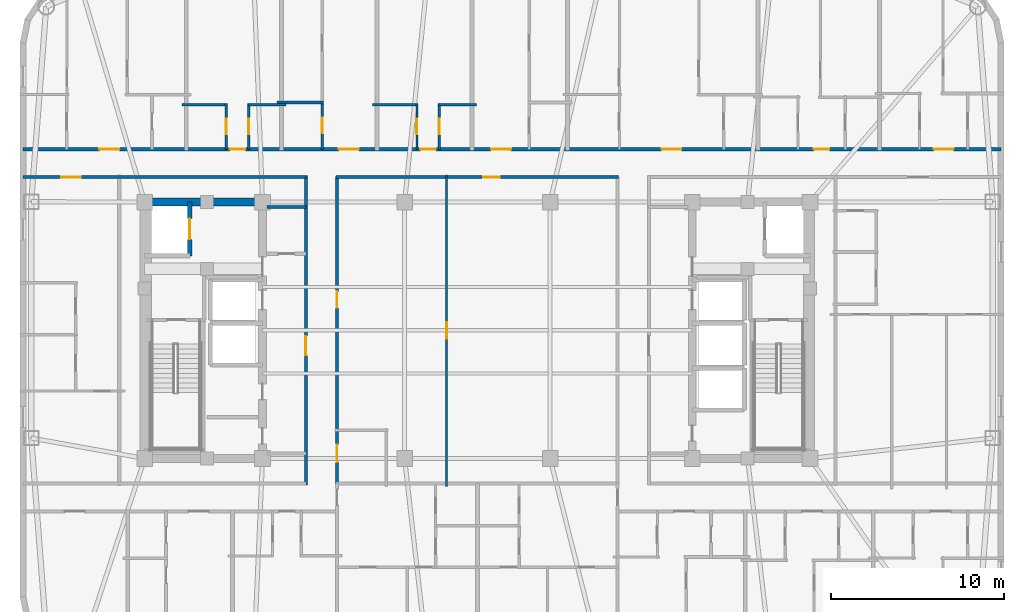
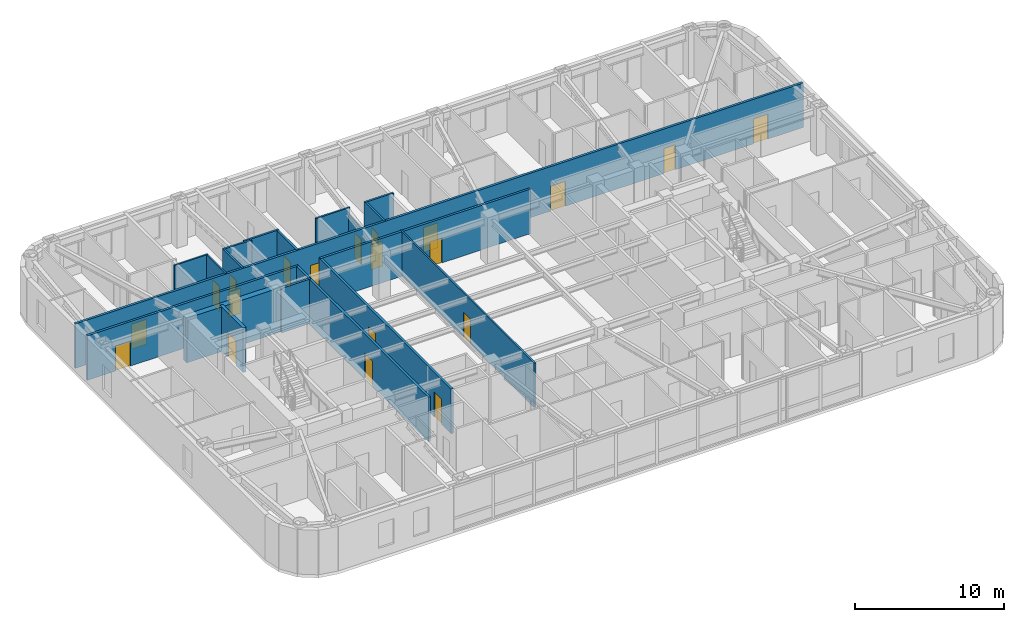
# One storey, part 10 of 17: 20 doors, 19 walls, 20 openings.
"""IFC4 building model written with IfcOpenShell, lengths in metres."""

import ifcopenshell
import ifcopenshell.guid

model = None  # the IFC model being written
_history = None  # IfcOwnerHistory: only IFC2X3 demands one
_inside = {}  # id of a spatial element -> (the spatial element, [elements in it])
_under = {}  # id of a project, library or spatial element -> (it, [spatial elements below it])
_declared = {}  # id of a project -> (the project, [libraries it declares])
_typed = {}  # id of a type object -> (the type object, [elements of that type])
_made_of = {}  # id of a material, layer set ... -> (it, [elements and type objects made of it])


def new_model(schema):
    """Start an empty IFC model of exactly this schema.

    Asked for "IFC4X3", IfcOpenShell would pick the latest addendum, in which some entities
    have other attributes; the version numbers below select the first issue.
    IFC2X3 requires an IfcOwnerHistory on every rooted entity: one is made here for all.
    """
    global model, _history
    if schema == "IFC4X3":
        model = ifcopenshell.file(schema_version=(4, 3, 0, 0))
    else:
        model = ifcopenshell.file(schema=schema)
    _inside.clear()
    _under.clear()
    _declared.clear()
    _typed.clear()
    _made_of.clear()
    _history = None
    if model.schema == "IFC2X3":
        org = make("IfcOrganization", Name="unknown")
        user = make(
            "IfcPersonAndOrganization",
            ThePerson=make("IfcPerson", FamilyName="unknown"),
            TheOrganization=org,
        )
        app = make(
            "IfcApplication",
            ApplicationDeveloper=org,
            Version="unknown",
            ApplicationFullName="unknown",
            ApplicationIdentifier="unknown",
        )
        _history = make(
            "IfcOwnerHistory",
            OwningUser=user,
            OwningApplication=app,
            ChangeAction="ADDED",
            CreationDate=0,
        )
    return model


def make(cls, **values):
    """One entity of the class cls with the attributes given. An attribute that is None is left unset."""
    return model.create_entity(
        cls, **{name: value for name, value in values.items() if value is not None}
    )


def rooted(cls, **values):
    """An entity with a GlobalId (a new one), such as an element, a storey or a relation."""
    return make(cls, GlobalId=ifcopenshell.guid.new(), OwnerHistory=_history, **values)


def si_unit(unit_type, name, prefix=None):
    """IfcSIUnit, for example si_unit("LENGTHUNIT", "METRE", prefix="MILLI")."""
    return make("IfcSIUnit", UnitType=unit_type, Prefix=prefix, Name=name)


def assignment(units):
    """IfcUnitAssignment: the units of a project."""
    return None if units is None else make("IfcUnitAssignment", Units=units)


def point(xyz):
    """IfcCartesianPoint."""
    return None if xyz is None else make("IfcCartesianPoint", Coordinates=xyz)


def direction(xyz):
    """IfcDirection."""
    return None if xyz is None else make("IfcDirection", DirectionRatios=xyz)


def frame(location, z_axis=None, x_axis=None):
    """IfcAxis2Placement3D, a coordinate frame: its origin and axes. An axis left out is left unset."""
    return make(
        "IfcAxis2Placement3D",
        Location=point(location),
        Axis=direction(z_axis),
        RefDirection=direction(x_axis),
    )


def frame_2d(location, x_axis=None):
    """IfcAxis2Placement2D, a coordinate frame in the plane: its origin and x axis."""
    return make(
        "IfcAxis2Placement2D", Location=point(location), RefDirection=direction(x_axis)
    )


def origin():
    """The frame at (0, 0, 0) with its axes left unset."""
    return frame((0.0, 0.0, 0.0))


def place(relative_to, where):
    """IfcLocalPlacement: puts the frame where relative to a parent placement (None: the world)."""
    return make(
        "IfcLocalPlacement", PlacementRelTo=relative_to, RelativePlacement=where
    )


def context(
    kind, dimensions, precision=None, world=None, true_north=None, identifier=None
):
    """IfcGeometricRepresentationContext, for example the 3D "Model" context."""
    return make(
        "IfcGeometricRepresentationContext",
        ContextIdentifier=identifier,
        ContextType=kind,
        CoordinateSpaceDimension=dimensions,
        Precision=precision,
        WorldCoordinateSystem=world,
        TrueNorth=true_north,
    )


def subcontext(parent, identifier, kind, view, scale=None):
    """IfcGeometricRepresentationSubContext, for example "Body" below "Model"."""
    return make(
        "IfcGeometricRepresentationSubContext",
        ContextIdentifier=identifier,
        ContextType=kind,
        ParentContext=parent,
        TargetScale=scale,
        TargetView=view,
    )


def project(units=None, contexts=None):
    """IfcProject with its units and contexts."""
    return rooted(
        "IfcProject",
        Name="project",
        RepresentationContexts=contexts,
        UnitsInContext=assignment(units),
    )


def spatial(cls, under=None, at=None, **own):
    """A site, building, storey or space (cls), placed at a placement, below another one or the project."""
    s = rooted(cls, ObjectPlacement=at, **own)
    if under is not None:
        _under.setdefault(under.id(), (under, []))[1].append(s)
    return s


def profile(cls, at=None, kind="AREA", **sizes):
    """A parametric profile (cls). Its sizes go by their IFC names, for example OverallWidth=200.0."""
    return make(cls, ProfileType=kind, Position=at, **sizes)


def rectangle(**sizes):
    """IfcRectangleProfileDef."""
    return profile("IfcRectangleProfileDef", **sizes)


def extrude(swept, where, along, depth):
    """IfcExtrudedAreaSolid: the profile swept, set in the frame where, extruded along a direction by depth."""
    return make(
        "IfcExtrudedAreaSolid",
        SweptArea=swept,
        Position=where,
        ExtrudedDirection=direction(along),
        Depth=depth,
    )


def shape(context_of_items, identifier, shape_type, items):
    """IfcShapeRepresentation: the items that make up one representation, for example the "Body"."""
    return make(
        "IfcShapeRepresentation",
        ContextOfItems=context_of_items,
        RepresentationIdentifier=identifier,
        RepresentationType=shape_type,
        Items=items,
    )


def material(Name=None, Category=None):
    """IfcMaterial."""
    return make("IfcMaterial", Name=Name, Category=Category)


def layer(
    of_material, thickness, ventilated=None, Name=None, Category=None, Priority=None
):
    """IfcMaterialLayer: one layer of a wall or slab, of a material (None: an air gap)."""
    return make(
        "IfcMaterialLayer",
        Material=of_material,
        LayerThickness=thickness,
        IsVentilated=ventilated,
        Name=Name,
        Category=Category,
        Priority=Priority,
    )


def layer_set(layers, Name=None):
    """IfcMaterialLayerSet."""
    return make("IfcMaterialLayerSet", MaterialLayers=layers, LayerSetName=Name)


def made_of(thing, what):
    """Note that an element or type object is made of a material, layer set ...; save() writes the relation."""
    if what is not None:
        _made_of.setdefault(what.id(), (what, []))[1].append(thing)
    return thing


def type_object(cls, material=None, **own):
    """A type object (cls), such as IfcWallType, which elements share."""
    return made_of(rooted(cls, **own), material)


def element(
    cls,
    number,
    at=None,
    inside=None,
    cuts=None,
    type_object=None,
    material=None,
    context=None,
    identifier="Body",
    shape_type=None,
    held_by="IfcProductDefinitionShape",
    body=None,
    shapes=None,
    **own,
):
    """One element of the class cls, such as IfcWall. Its Tag is "e" and its number.

    at: its placement. inside: the storey or other place that contains it. cuts: it is an
    opening in that element (IfcRelVoidsElement). A single representation is given by context,
    identifier, shape_type and body (its items); several are given by shapes. held_by: the class
    of the entity that holds the representations. save() writes the other relations.
    """
    e = rooted(cls, Tag="e%d" % number, ObjectPlacement=at, **own)
    if body is not None:
        shapes = [shape(context, identifier, shape_type, body)]
    if shapes is not None:
        e.Representation = make(held_by, Representations=shapes)
    if inside is not None:
        _inside.setdefault(inside.id(), (inside, []))[1].append(e)
    if cuts is not None:
        rooted(
            "IfcRelVoidsElement", RelatingBuildingElement=cuts, RelatedOpeningElement=e
        )
    if type_object is not None:
        _typed.setdefault(type_object.id(), (type_object, []))[1].append(e)
    return made_of(e, material)


def fill(opening, filler):
    """IfcRelFillsElement: the door or window that sits in an opening."""
    return rooted(
        "IfcRelFillsElement",
        RelatingOpeningElement=opening,
        RelatedBuildingElement=filler,
    )


def aggregate(whole, parts):
    """IfcRelAggregates: a whole, such as a stair, and the parts it consists of."""
    return rooted("IfcRelAggregates", RelatingObject=whole, RelatedObjects=parts)


def save(model, path):
    """Write the relations noted so far, then the file.

    IfcRelAggregates (storeys below a building ...), IfcRelContainedInSpatialStructure (elements
    in a storey), IfcRelDefinesByType, IfcRelAssociatesMaterial and IfcRelDeclares: one each for
    every whole, place, type object, material and project.
    """
    for whole, parts in _under.values():
        aggregate(whole, parts)
    for where, things in _inside.values():
        rooted(
            "IfcRelContainedInSpatialStructure",
            RelatedElements=things,
            RelatingStructure=where,
        )
    for kind, things in _typed.values():
        rooted("IfcRelDefinesByType", RelatedObjects=things, RelatingType=kind)
    for what, things in _made_of.values():
        rooted("IfcRelAssociatesMaterial", RelatedObjects=things, RelatingMaterial=what)
    for by, libraries in _declared.values():
        rooted("IfcRelDeclares", RelatingContext=by, RelatedDefinitions=libraries)
    model.write(path)


model = new_model("IFC4")

# Units and contexts
model_context = context("Model", 3, precision=1e-05, world=origin(), true_north=direction((0.0, 1.0)))
body_context = subcontext(model_context, "Body", "Model", "MODEL_VIEW")
ifc_project = project(units=[si_unit("LENGTHUNIT", "METRE"), si_unit("AREAUNIT", "SQUARE_METRE"), si_unit("VOLUMEUNIT", "CUBIC_METRE"), si_unit("PLANEANGLEUNIT", "RADIAN"), si_unit("MASSUNIT", "GRAM", prefix="KILO")], contexts=[model_context])

# Site, building, storey
site_placement = place(None, origin())
site = spatial("IfcSite", under=ifc_project, at=site_placement, CompositionType="ELEMENT")
building_placement = place(site_placement, origin())
building = spatial("IfcBuilding", under=site, at=building_placement, Name="Voryun Gate Residences", CompositionType="ELEMENT")
storey_placement = place(building_placement, frame((0.0, 0.0, 204.10009765625)))
storey = spatial("IfcBuildingStorey", under=building, at=storey_placement, Name="L50", CompositionType="ELEMENT", Elevation=204.10009765625)

# Walls
ifc_material_1 = material(Name="Concrete C50/60", Category="concrete")
ifc_layer_1 = layer(ifc_material_1, 0.449951171875, Name="CW_CORE_450")
ifc_layer_set_1 = layer_set([ifc_layer_1], Name="Concrete C50/60")
wall_type_1 = type_object("IfcWallType", Name="CW_CORE_450", PredefinedType="SHEAR", material=ifc_layer_set_1)
wall_1_placement = place(storey_placement, frame((-19.425048828125, 7.39990234375, 0.0), z_axis=(0.0, 0.0, 1.0), x_axis=(1.0, 0.0, 0.0)))
element("IfcWall", 1, at=wall_1_placement, inside=storey, type_object=wall_type_1, Name="L50 Core shear wall CW-L50-WN", PredefinedType="SHEAR", context=body_context, shape_type="SweptSolid", body=[
    extrude(rectangle(XDim=7.25, YDim=0.449951171875, at=frame_2d((3.625, 0.0))), origin(), (0.0, 0.0, 1.0), 3.64990234375),
])
ifc_material_2 = material(Name="Gypsum acoustic fireboard")
ifc_layer_2 = layer(ifc_material_2, 0.179931640625, Name="W_CORR_RATED_180")
ifc_layer_set_2 = layer_set([ifc_layer_2], Name="Gypsum acoustic fireboard")
wall_type_2 = type_object("IfcWallType", Name="W_CORR_RATED_180", PredefinedType="PARTITIONING", material=ifc_layer_set_2)
wall_2_placement = place(storey_placement, frame((-12.14990234375, 7.1201171875, 0.0), z_axis=(0.0, 0.0, 1.0), x_axis=(1.0, 0.0, 0.0)))
element("IfcWall", 2, at=wall_2_placement, inside=storey, type_object=wall_type_2, Name="Partition wall WP-L50-PLBN-W", PredefinedType="PARTITIONING", context=body_context, shape_type="SweptSolid", body=[
    extrude(rectangle(XDim=2.27001953125, YDim=0.179931640625, at=frame_2d((1.135009765625, 0.0))), origin(), (0.0, 0.0, 1.0), 3.64990234375),
])

# Wall, opening, door
wall_3_placement = place(storey_placement, frame((-9.89990234375, -8.929931640625, 0.0), z_axis=(0.0, 0.0, 1.0), x_axis=(0.0, 1.0, 0.0)))
wall_3 = element("IfcWall", 3, at=wall_3_placement, inside=storey, type_object=wall_type_2, Name="Partition wall WP-L50-PLBW-FULL", PredefinedType="PARTITIONING", context=body_context, shape_type="SweptSolid", body=[
    extrude(rectangle(XDim=17.85986328125, YDim=0.179931640625, at=frame_2d((8.929931640625, 0.0))), origin(), (0.0, 0.0, 1.0), 3.64990234375),
])
opening_1_placement = place(wall_3_placement, frame((7.487060546875, 0.0, 0.0)))
opening_1 = element("IfcOpeningElement", 4, at=opening_1_placement, cuts=wall_3, Name="Opening D-FD60-2", PredefinedType="OPENING", context=body_context, shape_type="SweptSolid", body=[
    extrude(rectangle(XDim=1.10009765625, YDim=2.050048828125, at=frame_2d((0.550048828125, 1.02490234375))), frame((0.0, 0.099853515625, 0.0), z_axis=(0.0, -1.0, 0.0), x_axis=(1.0, 0.0, 0.0)), (0.0, 0.0, 1.0), 0.199951171875),
])
ifc_material_3 = material(Name="Painted steel fire door", Category="steel")
door_type_1 = type_object("IfcDoorType", Name="DR_FD60_FFLOB_1100", OperationType="NOTDEFINED", PredefinedType="DOOR", material=ifc_material_3)
door_1_placement = place(opening_1_placement, origin())
door_1 = element("IfcDoor", 5, at=door_1_placement, inside=storey, type_object=door_type_1, Name="Door DR-L50-PLBW-COR", OperationType="SINGLE_SWING_LEFT", OverallHeight=2.050048828125, OverallWidth=1.10009765625, PredefinedType="DOOR", context=body_context, shape_type="SweptSolid", body=[
    extrude(rectangle(XDim=1.10009765625, YDim=2.050048828125, at=frame_2d((0.550048828125, 1.02490234375))), frame((0.0, 0.02490234375, 0.0), z_axis=(0.0, -1.0, 0.0), x_axis=(1.0, 0.0, 0.0)), (0.0, 0.0, 1.0), 0.050048828125),
])
fill(opening_1, door_1)

wall_4_placement = place(storey_placement, frame((-26.22998046875, 8.840087890625, 0.0), z_axis=(0.0, 0.0, 1.0), x_axis=(1.0, 0.0, 0.0)))
wall_4 = element("IfcWall", 6, at=wall_4_placement, inside=storey, type_object=wall_type_2, Name="Partition wall WP-L50-CWING-WN", PredefinedType="PARTITIONING", context=body_context, shape_type="SweptSolid", body=[
    extrude(rectangle(XDim=16.35009765625, YDim=0.179931640625, at=frame_2d((8.175048828125, 0.0))), origin(), (0.0, 0.0, 1.0), 3.64990234375),
])
opening_2_placement = place(wall_4_placement, frame((2.19970703125, 0.0, 0.0)))
opening_2 = element("IfcOpeningElement", 7, at=opening_2_placement, cuts=wall_4, Name="Opening D-UNIT-1", PredefinedType="OPENING", context=body_context, shape_type="SweptSolid", body=[
    extrude(rectangle(XDim=1.14990234375, YDim=2.050048828125, at=frame_2d((0.574951171875, 1.02490234375))), frame((0.0, 0.099853515625, 0.0), z_axis=(0.0, -1.0, 0.0), x_axis=(1.0, 0.0, 0.0)), (0.0, 0.0, 1.0), 0.199951171875),
])
ifc_material_4 = material(Name="Armoured timber-clad fire door", Category="wood")
door_type_2 = type_object("IfcDoorType", Name="DR_UNIT_ENTRY_1150", OperationType="NOTDEFINED", PredefinedType="DOOR", material=ifc_material_4)
door_2_placement = place(opening_2_placement, origin())
door_2 = element("IfcDoor", 8, at=door_2_placement, inside=storey, type_object=door_type_2, Name="Door DR-L50-WE1N", OperationType="SINGLE_SWING_LEFT", OverallHeight=2.050048828125, OverallWidth=1.14990234375, PredefinedType="DOOR", context=body_context, shape_type="SweptSolid", body=[
    extrude(rectangle(XDim=1.14990234375, YDim=2.050048828125, at=frame_2d((0.574951171875, 1.02490234375))), frame((0.0, 0.02490234375, 0.0), z_axis=(0.0, -1.0, 0.0), x_axis=(1.0, 0.0, 0.0)), (0.0, 0.0, 1.0), 0.050048828125),
])
fill(opening_2, door_2)

wall_5_placement = place(storey_placement, frame((-8.14990234375, 8.840087890625, 0.0), z_axis=(0.0, 0.0, 1.0), x_axis=(1.0, 0.0, 0.0)))
wall_5 = element("IfcWall", 9, at=wall_5_placement, inside=storey, type_object=wall_type_2, Name="Partition wall WP-L50-Z3N", PredefinedType="PARTITIONING", context=body_context, shape_type="SweptSolid", body=[
    extrude(rectangle(XDim=16.2998046875, YDim=0.179931640625, at=frame_2d((8.14990234375, 0.0))), origin(), (0.0, 0.0, 1.0), 3.64990234375),
])
opening_3_placement = place(wall_5_placement, frame((8.489990234375, 0.0, 0.0)))
opening_3 = element("IfcOpeningElement", 10, at=opening_3_placement, cuts=wall_5, Name="Opening D-INT-1", PredefinedType="OPENING", context=body_context, shape_type="SweptSolid", body=[
    extrude(rectangle(XDim=0.949951171875, YDim=2.050048828125, at=frame_2d((0.47509765625, 1.02490234375))), frame((0.0, 0.099853515625, 0.0), z_axis=(0.0, -1.0, 0.0), x_axis=(1.0, 0.0, 0.0)), (0.0, 0.0, 1.0), 0.199951171875),
])
ifc_material_5 = material(Name="Architectural oak veneer")
door_type_3 = type_object("IfcDoorType", Name="DR_INT_ROOM_950", OperationType="NOTDEFINED", PredefinedType="DOOR", material=ifc_material_5)
door_3_placement = place(opening_3_placement, origin())
door_3 = element("IfcDoor", 11, at=door_3_placement, inside=storey, type_object=door_type_3, Name="Door DR-L50-CMIDZ3N", OperationType="SINGLE_SWING_LEFT", OverallHeight=2.050048828125, OverallWidth=0.949951171875, PredefinedType="DOOR", context=body_context, shape_type="SweptSolid", body=[
    extrude(rectangle(XDim=0.949951171875, YDim=2.050048828125, at=frame_2d((0.47509765625, 1.02490234375))), frame((0.0, 0.02490234375, 0.0), z_axis=(0.0, -1.0, 0.0), x_axis=(1.0, 0.0, 0.0)), (0.0, 0.0, 1.0), 0.050048828125),
])
fill(opening_3, door_3)

# Wall, openings, doors
wall_6_placement = place(storey_placement, frame((-8.10009765625, -8.8798828125, 0.0), z_axis=(0.0, 0.0, 1.0), x_axis=(0.0, 1.0, 0.0)))
wall_6 = element("IfcWall", 12, at=wall_6_placement, inside=storey, type_object=wall_type_2, Name="Partition wall WP-L50-Z3W", PredefinedType="PARTITIONING", context=body_context, shape_type="SweptSolid", body=[
    extrude(rectangle(XDim=17.759765625, YDim=0.179931640625, at=frame_2d((8.8798828125, 0.0))), origin(), (0.0, 0.0, 1.0), 3.64990234375),
])
opening_4_placement = place(wall_6_placement, frame((1.27587890625, 0.0, 0.0)))
opening_4 = element("IfcOpeningElement", 13, at=opening_4_placement, cuts=wall_6, Name="Opening D-AWC-1", PredefinedType="OPENING", context=body_context, shape_type="SweptSolid", body=[
    extrude(rectangle(XDim=1.0, YDim=2.050048828125, at=frame_2d((0.5, 1.02490234375))), frame((0.0, 0.099853515625, 0.0), z_axis=(0.0, -1.0, 0.0), x_axis=(1.0, 0.0, 0.0)), (0.0, 0.0, 1.0), 0.199951171875),
])
opening_5_placement = place(wall_6_placement, frame((10.180908203125, 0.0, 0.0)))
opening_5 = element("IfcOpeningElement", 14, at=opening_5_placement, cuts=wall_6, Name="Opening D-INT-1", PredefinedType="OPENING", context=body_context, shape_type="SweptSolid", body=[
    extrude(rectangle(XDim=0.949951171875, YDim=2.050048828125, at=frame_2d((0.47509765625, 1.02490234375))), frame((0.0, 0.099853515625, 0.0), z_axis=(0.0, -1.0, 0.0), x_axis=(1.0, 0.0, 0.0)), (0.0, 0.0, 1.0), 0.199951171875),
])
ifc_material_6 = material(Name="Architectural oak veneer")
door_type_4 = type_object("IfcDoorType", Name="DR_ACC_WC_1000", OperationType="NOTDEFINED", PredefinedType="DOOR", material=ifc_material_6)
door_4_placement = place(opening_4_placement, origin())
door_4 = element("IfcDoor", 15, at=door_4_placement, inside=storey, type_object=door_type_4, Name="Door DR-L50-CMWC-D", OperationType="SINGLE_SWING_LEFT", OverallHeight=2.050048828125, OverallWidth=1.0, PredefinedType="DOOR", context=body_context, shape_type="SweptSolid", body=[
    extrude(rectangle(XDim=1.0, YDim=2.050048828125, at=frame_2d((0.5, 1.02490234375))), frame((0.0, 0.02490234375, 0.0), z_axis=(0.0, -1.0, 0.0), x_axis=(1.0, 0.0, 0.0)), (0.0, 0.0, 1.0), 0.050048828125),
])
fill(opening_4, door_4)
door_5_placement = place(opening_5_placement, origin())
door_5 = element("IfcDoor", 16, at=door_5_placement, inside=storey, type_object=door_type_3, Name="Door DR-L50-CMIDZ3W", OperationType="SINGLE_SWING_RIGHT", OverallHeight=2.050048828125, OverallWidth=0.949951171875, PredefinedType="DOOR", context=body_context, shape_type="SweptSolid", body=[
    extrude(rectangle(XDim=0.949951171875, YDim=2.050048828125, at=frame_2d((0.47509765625, 1.02490234375))), frame((0.0, 0.02490234375, 0.0), z_axis=(0.0, -1.0, 0.0), x_axis=(1.0, 0.0, 0.0)), (0.0, 0.0, 1.0), 0.050048828125),
])
fill(opening_5, door_5)

wall_7_placement = place(storey_placement, frame((-26.22998046875, 10.449951171875, 0.0), z_axis=(0.0, 0.0, 1.0), x_axis=(1.0, 0.0, 0.0)))
wall_7 = element("IfcWall", 17, at=wall_7_placement, inside=storey, type_object=wall_type_2, Name="Partition wall WP-L50-NCORR", PredefinedType="PARTITIONING", context=body_context, shape_type="SweptSolid", body=[
    extrude(rectangle(XDim=56.4599609375, YDim=0.179931640625, at=frame_2d((28.22998046875, 0.0))), origin(), (0.0, 0.0, 1.0), 3.64990234375),
])
opening_6_placement = place(wall_7_placement, frame((4.410400390625, 0.0, 0.0)))
opening_6 = element("IfcOpeningElement", 18, at=opening_6_placement, cuts=wall_7, Name="Opening D-UNIT-1", PredefinedType="OPENING", context=body_context, shape_type="SweptSolid", body=[
    extrude(rectangle(XDim=1.14990234375, YDim=2.050048828125, at=frame_2d((0.574951171875, 1.02490234375))), frame((0.0, 0.099853515625, 0.0), z_axis=(0.0, -1.0, 0.0), x_axis=(1.0, 0.0, 0.0)), (0.0, 0.0, 1.0), 0.199951171875),
])
opening_7_placement = place(wall_7_placement, frame((11.943115234375, 0.0, 0.0)))
opening_7 = element("IfcOpeningElement", 19, at=opening_7_placement, cuts=wall_7, Name="Opening D-INT-2", PredefinedType="OPENING", context=body_context, shape_type="SweptSolid", body=[
    extrude(rectangle(XDim=0.89990234375, YDim=2.050048828125, at=frame_2d((0.449951171875, 1.02490234375))), frame((0.0, 0.099853515625, 0.0), z_axis=(0.0, -1.0, 0.0), x_axis=(1.0, 0.0, 0.0)), (0.0, 0.0, 1.0), 0.199951171875),
])
opening_8_placement = place(wall_7_placement, frame((18.2431640625, 0.0, 0.0)))
opening_8 = element("IfcOpeningElement", 20, at=opening_8_placement, cuts=wall_7, Name="Opening D-UNIT-1", PredefinedType="OPENING", context=body_context, shape_type="SweptSolid", body=[
    extrude(rectangle(XDim=1.14990234375, YDim=2.050048828125, at=frame_2d((0.574951171875, 1.02490234375))), frame((0.0, 0.099853515625, 0.0), z_axis=(0.0, -1.0, 0.0), x_axis=(1.0, 0.0, 0.0)), (0.0, 0.0, 1.0), 0.199951171875),
])
opening_9_placement = place(wall_7_placement, frame((22.94140625, 0.0, 0.0)))
opening_9 = element("IfcOpeningElement", 21, at=opening_9_placement, cuts=wall_7, Name="Opening D-INT-2", PredefinedType="OPENING", context=body_context, shape_type="SweptSolid", body=[
    extrude(rectangle(XDim=0.89990234375, YDim=2.050048828125, at=frame_2d((0.449951171875, 1.02490234375))), frame((0.0, 0.099853515625, 0.0), z_axis=(0.0, -1.0, 0.0), x_axis=(1.0, 0.0, 0.0)), (0.0, 0.0, 1.0), 0.199951171875),
])
opening_10_placement = place(wall_7_placement, frame((27.0283203125, 0.0, 0.0)))
opening_10 = element("IfcOpeningElement", 22, at=opening_10_placement, cuts=wall_7, Name="Opening D-UNIT-1", PredefinedType="OPENING", context=body_context, shape_type="SweptSolid", body=[
    extrude(rectangle(XDim=1.14990234375, YDim=2.050048828125, at=frame_2d((0.574951171875, 1.02490234375))), frame((0.0, 0.099853515625, 0.0), z_axis=(0.0, -1.0, 0.0), x_axis=(1.0, 0.0, 0.0)), (0.0, 0.0, 1.0), 0.199951171875),
])
opening_11_placement = place(wall_7_placement, frame((36.863525390625, 0.0, 0.0)))
opening_11 = element("IfcOpeningElement", 23, at=opening_11_placement, cuts=wall_7, Name="Opening D-UNIT-1", PredefinedType="OPENING", context=body_context, shape_type="SweptSolid", body=[
    extrude(rectangle(XDim=1.14990234375, YDim=2.050048828125, at=frame_2d((0.574951171875, 1.02490234375))), frame((0.0, 0.099853515625, 0.0), z_axis=(0.0, -1.0, 0.0), x_axis=(1.0, 0.0, 0.0)), (0.0, 0.0, 1.0), 0.199951171875),
])
opening_12_placement = place(wall_7_placement, frame((45.6552734375, 0.0, 0.0)))
opening_12 = element("IfcOpeningElement", 24, at=opening_12_placement, cuts=wall_7, Name="Opening D-INT-2", PredefinedType="OPENING", context=body_context, shape_type="SweptSolid", body=[
    extrude(rectangle(XDim=0.89990234375, YDim=2.050048828125, at=frame_2d((0.449951171875, 1.02490234375))), frame((0.0, 0.099853515625, 0.0), z_axis=(0.0, -1.0, 0.0), x_axis=(1.0, 0.0, 0.0)), (0.0, 0.0, 1.0), 0.199951171875),
])
opening_13_placement = place(wall_7_placement, frame((52.576416015625, 0.0, 0.0)))
opening_13 = element("IfcOpeningElement", 25, at=opening_13_placement, cuts=wall_7, Name="Opening D-UNIT-1", PredefinedType="OPENING", context=body_context, shape_type="SweptSolid", body=[
    extrude(rectangle(XDim=1.14990234375, YDim=2.050048828125, at=frame_2d((0.574951171875, 1.02490234375))), frame((0.0, 0.099853515625, 0.0), z_axis=(0.0, -1.0, 0.0), x_axis=(1.0, 0.0, 0.0)), (0.0, 0.0, 1.0), 0.199951171875),
])
ifc_material_7 = material(Name="Architectural oak veneer")
door_type_5 = type_object("IfcDoorType", Name="DR_INT_BATH_900", OperationType="NOTDEFINED", PredefinedType="DOOR", material=ifc_material_7)
door_6_placement = place(opening_7_placement, origin())
door_6 = element("IfcDoor", 26, at=door_6_placement, inside=storey, type_object=door_type_5, Name="Door DR-L50-NENT-2", OperationType="SINGLE_SWING_RIGHT", OverallHeight=2.050048828125, OverallWidth=0.89990234375, PredefinedType="DOOR", context=body_context, shape_type="SweptSolid", body=[
    extrude(rectangle(XDim=0.89990234375, YDim=2.050048828125, at=frame_2d((0.449951171875, 1.02490234375))), frame((0.0, 0.02490234375, 0.0), z_axis=(0.0, -1.0, 0.0), x_axis=(1.0, 0.0, 0.0)), (0.0, 0.0, 1.0), 0.050048828125),
])
fill(opening_7, door_6)
door_7_placement = place(opening_9_placement, origin())
door_7 = element("IfcDoor", 27, at=door_7_placement, inside=storey, type_object=door_type_5, Name="Door DR-L50-NENT-4", OperationType="SINGLE_SWING_RIGHT", OverallHeight=2.050048828125, OverallWidth=0.89990234375, PredefinedType="DOOR", context=body_context, shape_type="SweptSolid", body=[
    extrude(rectangle(XDim=0.89990234375, YDim=2.050048828125, at=frame_2d((0.449951171875, 1.02490234375))), frame((0.0, 0.02490234375, 0.0), z_axis=(0.0, -1.0, 0.0), x_axis=(1.0, 0.0, 0.0)), (0.0, 0.0, 1.0), 0.050048828125),
])
fill(opening_9, door_7)
door_8_placement = place(opening_12_placement, origin())
door_8 = element("IfcDoor", 28, at=door_8_placement, inside=storey, type_object=door_type_5, Name="Door DR-L50-NENT-7", OperationType="SINGLE_SWING_LEFT", OverallHeight=2.050048828125, OverallWidth=0.89990234375, PredefinedType="DOOR", context=body_context, shape_type="SweptSolid", body=[
    extrude(rectangle(XDim=0.89990234375, YDim=2.050048828125, at=frame_2d((0.449951171875, 1.02490234375))), frame((0.0, 0.02490234375, 0.0), z_axis=(0.0, -1.0, 0.0), x_axis=(1.0, 0.0, 0.0)), (0.0, 0.0, 1.0), 0.050048828125),
])
fill(opening_12, door_8)
door_9_placement = place(opening_6_placement, origin())
door_9 = element("IfcDoor", 29, at=door_9_placement, inside=storey, type_object=door_type_2, Name="Door DR-L50-NENT-1", OperationType="SINGLE_SWING_LEFT", OverallHeight=2.050048828125, OverallWidth=1.14990234375, PredefinedType="DOOR", context=body_context, shape_type="SweptSolid", body=[
    extrude(rectangle(XDim=1.14990234375, YDim=2.050048828125, at=frame_2d((0.574951171875, 1.02490234375))), frame((0.0, 0.02490234375, 0.0), z_axis=(0.0, -1.0, 0.0), x_axis=(1.0, 0.0, 0.0)), (0.0, 0.0, 1.0), 0.050048828125),
])
fill(opening_6, door_9)
door_10_placement = place(opening_8_placement, origin())
door_10 = element("IfcDoor", 30, at=door_10_placement, inside=storey, type_object=door_type_2, Name="Door DR-L50-NENT-3", OperationType="SINGLE_SWING_LEFT", OverallHeight=2.050048828125, OverallWidth=1.14990234375, PredefinedType="DOOR", context=body_context, shape_type="SweptSolid", body=[
    extrude(rectangle(XDim=1.14990234375, YDim=2.050048828125, at=frame_2d((0.574951171875, 1.02490234375))), frame((0.0, 0.02490234375, 0.0), z_axis=(0.0, -1.0, 0.0), x_axis=(1.0, 0.0, 0.0)), (0.0, 0.0, 1.0), 0.050048828125),
])
fill(opening_8, door_10)
door_11_placement = place(opening_10_placement, origin())
door_11 = element("IfcDoor", 31, at=door_11_placement, inside=storey, type_object=door_type_2, Name="Door DR-L50-NENT-5", OperationType="SINGLE_SWING_LEFT", OverallHeight=2.050048828125, OverallWidth=1.14990234375, PredefinedType="DOOR", context=body_context, shape_type="SweptSolid", body=[
    extrude(rectangle(XDim=1.14990234375, YDim=2.050048828125, at=frame_2d((0.574951171875, 1.02490234375))), frame((0.0, 0.02490234375, 0.0), z_axis=(0.0, -1.0, 0.0), x_axis=(1.0, 0.0, 0.0)), (0.0, 0.0, 1.0), 0.050048828125),
])
fill(opening_10, door_11)
door_12_placement = place(opening_11_placement, origin())
door_12 = element("IfcDoor", 32, at=door_12_placement, inside=storey, type_object=door_type_2, Name="Door DR-L50-NENT-6", OperationType="SINGLE_SWING_RIGHT", OverallHeight=2.050048828125, OverallWidth=1.14990234375, PredefinedType="DOOR", context=body_context, shape_type="SweptSolid", body=[
    extrude(rectangle(XDim=1.14990234375, YDim=2.050048828125, at=frame_2d((0.574951171875, 1.02490234375))), frame((0.0, 0.02490234375, 0.0), z_axis=(0.0, -1.0, 0.0), x_axis=(1.0, 0.0, 0.0)), (0.0, 0.0, 1.0), 0.050048828125),
])
fill(opening_11, door_12)
door_13_placement = place(opening_13_placement, origin())
door_13 = element("IfcDoor", 33, at=door_13_placement, inside=storey, type_object=door_type_2, Name="Door DR-L50-NENT-8", OperationType="SINGLE_SWING_RIGHT", OverallHeight=2.050048828125, OverallWidth=1.14990234375, PredefinedType="DOOR", context=body_context, shape_type="SweptSolid", body=[
    extrude(rectangle(XDim=1.14990234375, YDim=2.050048828125, at=frame_2d((0.574951171875, 1.02490234375))), frame((0.0, 0.02490234375, 0.0), z_axis=(0.0, -1.0, 0.0), x_axis=(1.0, 0.0, 0.0)), (0.0, 0.0, 1.0), 0.050048828125),
])
fill(opening_13, door_13)

# Wall, opening, door
ifc_material_8 = material(Name="Concrete C50/60", Category="concrete")
ifc_layer_3 = layer(ifc_material_8, 0.25, Name="W_SHAFT_RC250")
ifc_layer_set_3 = layer_set([ifc_layer_3], Name="Concrete C50/60")
wall_type_3 = type_object("IfcWallType", Name="W_SHAFT_RC250", PredefinedType="SOLIDWALL", material=ifc_layer_set_3)
wall_8_placement = place(storey_placement, frame((-16.60009765625, 4.300048828125, 0.0), z_axis=(0.0, 0.0, 1.0), x_axis=(0.0, 1.0, 0.0)))
wall_8 = element("IfcWall", 34, at=wall_8_placement, inside=storey, type_object=wall_type_3, Name="Lift shaft wall WSH-L50-EL-FF-W1-E", PredefinedType="SOLIDWALL", context=body_context, shape_type="SweptSolid", body=[
    extrude(rectangle(XDim=3.099853515625, YDim=0.25, at=frame_2d((1.5498046875, 0.0))), origin(), (0.0, 0.0, 1.0), 3.64990234375),
])
opening_14_placement = place(wall_8_placement, frame((0.949951171875, 0.0, 0.0)))
opening_14 = element("IfcOpeningElement", 35, at=opening_14_placement, cuts=wall_8, Name="Opening LD1", PredefinedType="OPENING", context=body_context, shape_type="SweptSolid", body=[
    extrude(rectangle(XDim=1.199951171875, YDim=2.050048828125, at=frame_2d((0.60009765625, 1.02490234375))), frame((0.0, 0.135009765625, 0.0), z_axis=(0.0, -1.0, 0.0), x_axis=(1.0, 0.0, 0.0)), (0.0, 0.0, 1.0), 0.27001953125),
])
ifc_material_9 = material(Name="Anodised aluminium", Category="aluminium")
door_type_6 = type_object("IfcDoorType", Name="DR_LD_FF_1200", OperationType="NOTDEFINED", PredefinedType="DOOR", material=ifc_material_9)
door_14_placement = place(opening_14_placement, origin())
door_14 = element("IfcDoor", 36, at=door_14_placement, inside=storey, type_object=door_type_6, Name="Lift EL-FF-W1 sliding landing door L50", OperationType="SLIDING_TO_LEFT", OverallHeight=2.050048828125, OverallWidth=1.199951171875, PredefinedType="DOOR", context=body_context, shape_type="SweptSolid", body=[
    extrude(rectangle(XDim=1.199951171875, YDim=2.050048828125, at=frame_2d((0.60009765625, 1.02490234375))), frame((0.0, 0.02490234375, 0.0), z_axis=(0.0, -1.0, 0.0), x_axis=(1.0, 0.0, 0.0)), (0.0, 0.0, 1.0), 0.050048828125),
])
fill(opening_14, door_14)

ifc_material_10 = material(Name="Gypsum acoustic partition")
ifc_layer_4 = layer(ifc_material_10, 0.125, Name="W_UNIT_PART_125")
ifc_layer_set_4 = layer_set([ifc_layer_4], Name="Gypsum acoustic partition")
wall_type_4 = type_object("IfcWallType", Name="W_UNIT_PART_125", PredefinedType="PARTITIONING", material=ifc_layer_set_4)
wall_9_placement = place(storey_placement, frame((-1.77294921875, -9.02001953125, 0.0), z_axis=(0.0, 0.0, 1.0), x_axis=(0.0, 1.0, 0.0)))
wall_9 = element("IfcWall", 37, at=wall_9_placement, inside=storey, type_object=wall_type_4, Name="Partition wall WP-L50-MIDX-0", PredefinedType="PARTITIONING", context=body_context, shape_type="SweptSolid", body=[
    extrude(rectangle(XDim=17.989990234375, YDim=0.125, at=frame_2d((8.9951171875, 0.0))), origin(), (0.0, 0.0, 1.0), 3.64990234375),
])
opening_15_placement = place(wall_9_placement, frame((8.52001953125, 0.0, 0.0)))
opening_15 = element("IfcOpeningElement", 38, at=opening_15_placement, cuts=wall_9, Name="Opening D-INT-1", PredefinedType="OPENING", context=body_context, shape_type="SweptSolid", body=[
    extrude(rectangle(XDim=0.949951171875, YDim=2.050048828125, at=frame_2d((0.47509765625, 1.02490234375))), frame((0.0, 0.072509765625, 0.0), z_axis=(0.0, -1.0, 0.0), x_axis=(1.0, 0.0, 0.0)), (0.0, 0.0, 1.0), 0.14501953125),
])
door_15_placement = place(opening_15_placement, origin())
door_15 = element("IfcDoor", 39, at=door_15_placement, inside=storey, type_object=door_type_3, Name="Door DR-L50-MIDX-0", OperationType="SINGLE_SWING_LEFT", OverallHeight=2.050048828125, OverallWidth=0.949951171875, PredefinedType="DOOR", context=body_context, shape_type="SweptSolid", body=[
    extrude(rectangle(XDim=0.949951171875, YDim=2.050048828125, at=frame_2d((0.47509765625, 1.02490234375))), frame((0.0, 0.02490234375, 0.0), z_axis=(0.0, -1.0, 0.0), x_axis=(1.0, 0.0, 0.0)), (0.0, 0.0, 1.0), 0.050048828125),
])
fill(opening_15, door_15)

wall_10_placement = place(storey_placement, frame((-14.489990234375, 10.429931640625, 0.0), z_axis=(0.0, 0.0, 1.0), x_axis=(0.0, 1.0, 0.0)))
wall_10 = element("IfcWall", 40, at=wall_10_placement, inside=storey, type_object=wall_type_4, Name="Partition wall WP-L50-N2-CVK", PredefinedType="PARTITIONING", context=body_context, shape_type="SweptSolid", body=[
    extrude(rectangle(XDim=2.650146484375, YDim=0.125, at=frame_2d((1.3251953125, 0.0))), origin(), (0.0, 0.0, 1.0), 3.64990234375),
])
opening_16_placement = place(wall_10_placement, frame((0.875, 0.0, 0.0)))
opening_16 = element("IfcOpeningElement", 41, at=opening_16_placement, cuts=wall_10, Name="Opening D-INT-2", PredefinedType="OPENING", context=body_context, shape_type="SweptSolid", body=[
    extrude(rectangle(XDim=0.89990234375, YDim=2.050048828125, at=frame_2d((0.449951171875, 1.02490234375))), frame((0.0, 0.072509765625, 0.0), z_axis=(0.0, -1.0, 0.0), x_axis=(1.0, 0.0, 0.0)), (0.0, 0.0, 1.0), 0.14501953125),
])
door_16_placement = place(opening_16_placement, origin())
door_16 = element("IfcDoor", 42, at=door_16_placement, inside=storey, type_object=door_type_5, Name="Door DR-L50-N2-DK", OperationType="SINGLE_SWING_LEFT", OverallHeight=2.050048828125, OverallWidth=0.89990234375, PredefinedType="DOOR", context=body_context, shape_type="SweptSolid", body=[
    extrude(rectangle(XDim=0.89990234375, YDim=2.050048828125, at=frame_2d((0.449951171875, 1.02490234375))), frame((0.0, 0.02490234375, 0.0), z_axis=(0.0, -1.0, 0.0), x_axis=(1.0, 0.0, 0.0)), (0.0, 0.0, 1.0), 0.050048828125),
])
fill(opening_16, door_16)

# Wall
wall_11_placement = place(storey_placement, frame((-17.06005859375, 13.02001953125, 0.0), z_axis=(0.0, 0.0, 1.0), x_axis=(1.0, 0.0, 0.0)))
element("IfcWall", 43, at=wall_11_placement, inside=storey, type_object=wall_type_4, Name="Partition wall WP-L50-N2-CHK", PredefinedType="PARTITIONING", context=body_context, shape_type="SweptSolid", body=[
    extrude(rectangle(XDim=2.630126953125, YDim=0.125, at=frame_2d((1.31494140625, 0.0))), origin(), (0.0, 0.0, 1.0), 3.64990234375),
])

# Wall, opening, door
wall_12_placement = place(storey_placement, frame((-3.489990234375, 10.429931640625, 0.0), z_axis=(0.0, 0.0, 1.0), x_axis=(0.0, 1.0, 0.0)))
wall_12 = element("IfcWall", 44, at=wall_12_placement, inside=storey, type_object=wall_type_4, Name="Partition wall WP-L50-N4-CVK", PredefinedType="PARTITIONING", context=body_context, shape_type="SweptSolid", body=[
    extrude(rectangle(XDim=2.650146484375, YDim=0.125, at=frame_2d((1.3251953125, 0.0))), origin(), (0.0, 0.0, 1.0), 3.08984375),
])
opening_17_placement = place(wall_12_placement, frame((0.875, 0.0, 0.0)))
opening_17 = element("IfcOpeningElement", 45, at=opening_17_placement, cuts=wall_12, Name="Opening D-INT-2", PredefinedType="OPENING", context=body_context, shape_type="SweptSolid", body=[
    extrude(rectangle(XDim=0.89990234375, YDim=2.050048828125, at=frame_2d((0.449951171875, 1.02490234375))), frame((0.0, 0.072509765625, 0.0), z_axis=(0.0, -1.0, 0.0), x_axis=(1.0, 0.0, 0.0)), (0.0, 0.0, 1.0), 0.14501953125),
])
door_17_placement = place(opening_17_placement, origin())
door_17 = element("IfcDoor", 46, at=door_17_placement, inside=storey, type_object=door_type_5, Name="Door DR-L50-N4-DK", OperationType="SINGLE_SWING_LEFT", OverallHeight=2.050048828125, OverallWidth=0.89990234375, PredefinedType="DOOR", context=body_context, shape_type="SweptSolid", body=[
    extrude(rectangle(XDim=0.89990234375, YDim=2.050048828125, at=frame_2d((0.449951171875, 1.02490234375))), frame((0.0, 0.02490234375, 0.0), z_axis=(0.0, -1.0, 0.0), x_axis=(1.0, 0.0, 0.0)), (0.0, 0.0, 1.0), 0.050048828125),
])
fill(opening_17, door_17)

# Wall
wall_13_placement = place(storey_placement, frame((-6.06005859375, 13.02001953125, 0.0), z_axis=(0.0, 0.0, 1.0), x_axis=(1.0, 0.0, 0.0)))
element("IfcWall", 47, at=wall_13_placement, inside=storey, type_object=wall_type_4, Name="Partition wall WP-L50-N4-CHK", PredefinedType="PARTITIONING", context=body_context, shape_type="SweptSolid", body=[
    extrude(rectangle(XDim=2.630126953125, YDim=0.125, at=frame_2d((1.31494140625, 0.0))), origin(), (0.0, 0.0, 1.0), 3.64990234375),
])

# Wall, opening, door
ifc_material_11 = material(Name="Gypsum moisture-resistant partition")
ifc_layer_5 = layer(ifc_material_11, 0.14990234375, Name="W_WET_PLUMB_150")
ifc_layer_set_5 = layer_set([ifc_layer_5], Name="Gypsum moisture-resistant partition")
wall_type_5 = type_object("IfcWallType", Name="W_WET_PLUMB_150", PredefinedType="PLUMBINGWALL", material=ifc_layer_set_5)
wall_14_placement = place(storey_placement, frame((-13.18896484375, 10.429931640625, 0.0), z_axis=(0.0, 0.0, 1.0), x_axis=(0.0, 1.0, 0.0)))
wall_14 = element("IfcWall", 48, at=wall_14_placement, inside=storey, type_object=wall_type_5, Name="Partition wall WP-L50-N2-CVB", PredefinedType="PLUMBINGWALL", context=body_context, shape_type="SweptSolid", body=[
    extrude(rectangle(XDim=2.650146484375, YDim=0.14990234375, at=frame_2d((1.3251953125, 0.0))), origin(), (0.0, 0.0, 1.0), 3.64990234375),
])
opening_18_placement = place(wall_14_placement, frame((0.875, 0.0, 0.0)))
opening_18 = element("IfcOpeningElement", 49, at=opening_18_placement, cuts=wall_14, Name="Opening D-INT-2", PredefinedType="OPENING", context=body_context, shape_type="SweptSolid", body=[
    extrude(rectangle(XDim=0.89990234375, YDim=2.050048828125, at=frame_2d((0.449951171875, 1.02490234375))), frame((0.0, 0.0849609375, 0.0), z_axis=(0.0, -1.0, 0.0), x_axis=(1.0, 0.0, 0.0)), (0.0, 0.0, 1.0), 0.169921875),
])
door_18_placement = place(opening_18_placement, origin())
door_18 = element("IfcDoor", 50, at=door_18_placement, inside=storey, type_object=door_type_5, Name="Door DR-L50-N2-DB", OperationType="SINGLE_SWING_RIGHT", OverallHeight=2.050048828125, OverallWidth=0.89990234375, PredefinedType="DOOR", context=body_context, shape_type="SweptSolid", body=[
    extrude(rectangle(XDim=0.89990234375, YDim=2.050048828125, at=frame_2d((0.449951171875, 1.02490234375))), frame((0.0, 0.02490234375, 0.0), z_axis=(0.0, -1.0, 0.0), x_axis=(1.0, 0.0, 0.0)), (0.0, 0.0, 1.0), 0.050048828125),
])
fill(opening_18, door_18)

# Walls
wall_15_placement = place(storey_placement, frame((-13.2490234375, 13.02001953125, 0.0), z_axis=(0.0, 0.0, 1.0), x_axis=(1.0, 0.0, 0.0)))
element("IfcWall", 51, at=wall_15_placement, inside=storey, type_object=wall_type_5, Name="Partition wall WP-L50-N2-CHB", PredefinedType="PLUMBINGWALL", context=body_context, shape_type="SweptSolid", body=[
    extrude(rectangle(XDim=2.208984375, YDim=0.14990234375, at=frame_2d((1.1044921875, 0.0))), origin(), (0.0, 0.0, 1.0), 3.64990234375),
])
wall_16_placement = place(storey_placement, frame((-11.56005859375, 13.14990234375, 0.0), z_axis=(0.0, 0.0, 1.0), x_axis=(1.0, 0.0, 0.0)))
element("IfcWall", 52, at=wall_16_placement, inside=storey, type_object=wall_type_5, Name="Partition wall WP-L50-N3-SKB", PredefinedType="PLUMBINGWALL", context=body_context, shape_type="SweptSolid", body=[
    extrude(rectangle(XDim=2.68115234375, YDim=0.14990234375, at=frame_2d((1.340576171875, 0.0))), origin(), (0.0, 0.0, 1.0), 3.64990234375),
])

# Wall, opening, door
wall_17_placement = place(storey_placement, frame((-8.958984375, 10.429931640625, 0.0), z_axis=(0.0, 0.0, 1.0), x_axis=(0.0, 1.0, 0.0)))
wall_17 = element("IfcWall", 53, at=wall_17_placement, inside=storey, type_object=wall_type_5, Name="Partition wall WP-L50-N3-SVT1", PredefinedType="PLUMBINGWALL", context=body_context, shape_type="SweptSolid", body=[
    extrude(rectangle(XDim=2.760009765625, YDim=0.14990234375, at=frame_2d((1.3798828125, 0.0))), origin(), (0.0, 0.0, 1.0), 3.64990234375),
])
opening_19_placement = place(wall_17_placement, frame((0.929931640625, 0.0, 0.0)))
opening_19 = element("IfcOpeningElement", 54, at=opening_19_placement, cuts=wall_17, Name="Opening D-INT-2", PredefinedType="OPENING", context=body_context, shape_type="SweptSolid", body=[
    extrude(rectangle(XDim=0.89990234375, YDim=2.050048828125, at=frame_2d((0.449951171875, 1.02490234375))), frame((0.0, 0.0849609375, 0.0), z_axis=(0.0, -1.0, 0.0), x_axis=(1.0, 0.0, 0.0)), (0.0, 0.0, 1.0), 0.169921875),
])
door_19_placement = place(opening_19_placement, origin())
door_19 = element("IfcDoor", 55, at=door_19_placement, inside=storey, type_object=door_type_5, Name="Door DR-L50-N3-DB", OperationType="SINGLE_SWING_LEFT", OverallHeight=2.050048828125, OverallWidth=0.89990234375, PredefinedType="DOOR", context=body_context, shape_type="SweptSolid", body=[
    extrude(rectangle(XDim=0.89990234375, YDim=2.050048828125, at=frame_2d((0.449951171875, 1.02490234375))), frame((0.0, 0.02490234375, 0.0), z_axis=(0.0, -1.0, 0.0), x_axis=(1.0, 0.0, 0.0)), (0.0, 0.0, 1.0), 0.050048828125),
])
fill(opening_19, door_19)

wall_18_placement = place(storey_placement, frame((-2.18896484375, 10.429931640625, 0.0), z_axis=(0.0, 0.0, 1.0), x_axis=(0.0, 1.0, 0.0)))
wall_18 = element("IfcWall", 56, at=wall_18_placement, inside=storey, type_object=wall_type_5, Name="Partition wall WP-L50-N4-CVB", PredefinedType="PLUMBINGWALL", context=body_context, shape_type="SweptSolid", body=[
    extrude(rectangle(XDim=2.650146484375, YDim=0.14990234375, at=frame_2d((1.3251953125, 0.0))), origin(), (0.0, 0.0, 1.0), 3.64990234375),
])
opening_20_placement = place(wall_18_placement, frame((0.875, 0.0, 0.0)))
opening_20 = element("IfcOpeningElement", 57, at=opening_20_placement, cuts=wall_18, Name="Opening D-INT-2", PredefinedType="OPENING", context=body_context, shape_type="SweptSolid", body=[
    extrude(rectangle(XDim=0.89990234375, YDim=2.050048828125, at=frame_2d((0.449951171875, 1.02490234375))), frame((0.0, 0.0849609375, 0.0), z_axis=(0.0, -1.0, 0.0), x_axis=(1.0, 0.0, 0.0)), (0.0, 0.0, 1.0), 0.169921875),
])
door_20_placement = place(opening_20_placement, origin())
door_20 = element("IfcDoor", 58, at=door_20_placement, inside=storey, type_object=door_type_5, Name="Door DR-L50-N4-DB", OperationType="SINGLE_SWING_RIGHT", OverallHeight=2.050048828125, OverallWidth=0.89990234375, PredefinedType="DOOR", context=body_context, shape_type="SweptSolid", body=[
    extrude(rectangle(XDim=0.89990234375, YDim=2.050048828125, at=frame_2d((0.449951171875, 1.02490234375))), frame((0.0, 0.02490234375, 0.0), z_axis=(0.0, -1.0, 0.0), x_axis=(1.0, 0.0, 0.0)), (0.0, 0.0, 1.0), 0.050048828125),
])
fill(opening_20, door_20)

# Wall
wall_19_placement = place(storey_placement, frame((-2.2490234375, 13.02001953125, 0.0), z_axis=(0.0, 0.0, 1.0), x_axis=(1.0, 0.0, 0.0)))
element("IfcWall", 59, at=wall_19_placement, inside=storey, type_object=wall_type_5, Name="Partition wall WP-L50-N4-CHB", PredefinedType="PLUMBINGWALL", context=body_context, shape_type="SweptSolid", body=[
    extrude(rectangle(XDim=2.208984375, YDim=0.14990234375, at=frame_2d((1.1044921875, 0.0))), origin(), (0.0, 0.0, 1.0), 3.64990234375),
])

save(model, "model.ifc")
